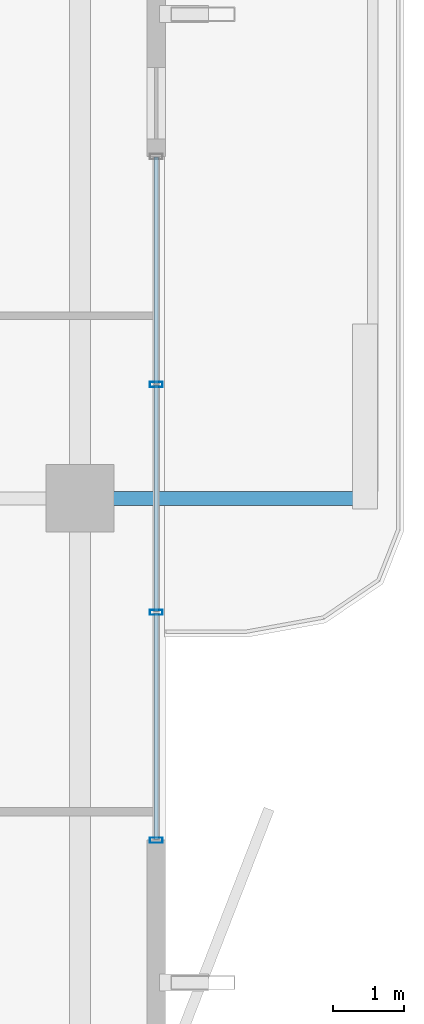
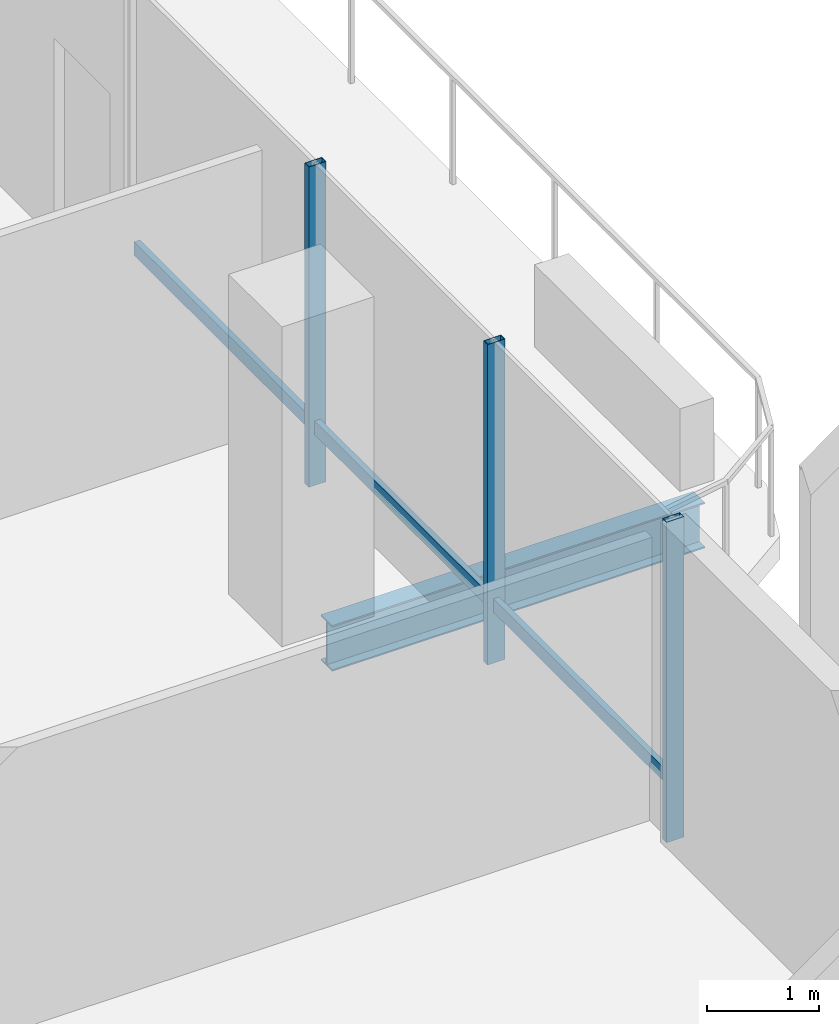
# One storey, part 10 of 25: 6 members, 1 beam, 1 element without a shape of its own.
"""IFC4 building model written with IfcOpenShell, lengths in metres."""

import ifcopenshell
import ifcopenshell.guid

model = None  # the IFC model being written
_history = None  # IfcOwnerHistory: only IFC2X3 demands one
_inside = {}  # id of a spatial element -> (the spatial element, [elements in it])
_under = {}  # id of a project, library or spatial element -> (it, [spatial elements below it])
_declared = {}  # id of a project -> (the project, [libraries it declares])
_typed = {}  # id of a type object -> (the type object, [elements of that type])
_made_of = {}  # id of a material, layer set ... -> (it, [elements and type objects made of it])


def new_model(schema):
    """Start an empty IFC model of exactly this schema.

    Asked for "IFC4X3", IfcOpenShell would pick the latest addendum, in which some entities
    have other attributes; the version numbers below select the first issue.
    IFC2X3 requires an IfcOwnerHistory on every rooted entity: one is made here for all.
    """
    global model, _history
    if schema == "IFC4X3":
        model = ifcopenshell.file(schema_version=(4, 3, 0, 0))
    else:
        model = ifcopenshell.file(schema=schema)
    _inside.clear()
    _under.clear()
    _declared.clear()
    _typed.clear()
    _made_of.clear()
    _history = None
    if model.schema == "IFC2X3":
        org = make("IfcOrganization", Name="unknown")
        user = make(
            "IfcPersonAndOrganization",
            ThePerson=make("IfcPerson", FamilyName="unknown"),
            TheOrganization=org,
        )
        app = make(
            "IfcApplication",
            ApplicationDeveloper=org,
            Version="unknown",
            ApplicationFullName="unknown",
            ApplicationIdentifier="unknown",
        )
        _history = make(
            "IfcOwnerHistory",
            OwningUser=user,
            OwningApplication=app,
            ChangeAction="ADDED",
            CreationDate=0,
        )
    return model


def make(cls, **values):
    """One entity of the class cls with the attributes given. An attribute that is None is left unset."""
    return model.create_entity(
        cls, **{name: value for name, value in values.items() if value is not None}
    )


def rooted(cls, **values):
    """An entity with a GlobalId (a new one), such as an element, a storey or a relation."""
    return make(cls, GlobalId=ifcopenshell.guid.new(), OwnerHistory=_history, **values)


def si_unit(unit_type, name, prefix=None):
    """IfcSIUnit, for example si_unit("LENGTHUNIT", "METRE", prefix="MILLI")."""
    return make("IfcSIUnit", UnitType=unit_type, Prefix=prefix, Name=name)


def assignment(units):
    """IfcUnitAssignment: the units of a project."""
    return None if units is None else make("IfcUnitAssignment", Units=units)


def point(xyz):
    """IfcCartesianPoint."""
    return None if xyz is None else make("IfcCartesianPoint", Coordinates=xyz)


def direction(xyz):
    """IfcDirection."""
    return None if xyz is None else make("IfcDirection", DirectionRatios=xyz)


def frame(location, z_axis=None, x_axis=None):
    """IfcAxis2Placement3D, a coordinate frame: its origin and axes. An axis left out is left unset."""
    return make(
        "IfcAxis2Placement3D",
        Location=point(location),
        Axis=direction(z_axis),
        RefDirection=direction(x_axis),
    )


def frame_2d(location, x_axis=None):
    """IfcAxis2Placement2D, a coordinate frame in the plane: its origin and x axis."""
    return make(
        "IfcAxis2Placement2D", Location=point(location), RefDirection=direction(x_axis)
    )


def origin():
    """The frame at (0, 0, 0) with its axes left unset."""
    return frame((0.0, 0.0, 0.0))


def origin_2d():
    """The frame at (0, 0) in the plane with its x axis left unset."""
    return frame_2d((0.0, 0.0))


def place(relative_to, where):
    """IfcLocalPlacement: puts the frame where relative to a parent placement (None: the world)."""
    return make(
        "IfcLocalPlacement", PlacementRelTo=relative_to, RelativePlacement=where
    )


def context(
    kind, dimensions, precision=None, world=None, true_north=None, identifier=None
):
    """IfcGeometricRepresentationContext, for example the 3D "Model" context."""
    return make(
        "IfcGeometricRepresentationContext",
        ContextIdentifier=identifier,
        ContextType=kind,
        CoordinateSpaceDimension=dimensions,
        Precision=precision,
        WorldCoordinateSystem=world,
        TrueNorth=true_north,
    )


def subcontext(parent, identifier, kind, view, scale=None):
    """IfcGeometricRepresentationSubContext, for example "Body" below "Model"."""
    return make(
        "IfcGeometricRepresentationSubContext",
        ContextIdentifier=identifier,
        ContextType=kind,
        ParentContext=parent,
        TargetScale=scale,
        TargetView=view,
    )


def project(units=None, contexts=None):
    """IfcProject with its units and contexts."""
    return rooted(
        "IfcProject",
        Name="project",
        RepresentationContexts=contexts,
        UnitsInContext=assignment(units),
    )


def spatial(cls, under=None, at=None, **own):
    """A site, building, storey or space (cls), placed at a placement, below another one or the project."""
    s = rooted(cls, ObjectPlacement=at, **own)
    if under is not None:
        _under.setdefault(under.id(), (under, []))[1].append(s)
    return s


def profile(cls, at=None, kind="AREA", **sizes):
    """A parametric profile (cls). Its sizes go by their IFC names, for example OverallWidth=200.0."""
    return make(cls, ProfileType=kind, Position=at, **sizes)


def hollow_rectangle(**sizes):
    """IfcRectangleHollowProfileDef."""
    return profile("IfcRectangleHollowProfileDef", **sizes)


def i_section(**sizes):
    """IfcIShapeProfileDef."""
    return profile("IfcIShapeProfileDef", **sizes)


def extrude(swept, where, along, depth):
    """IfcExtrudedAreaSolid: the profile swept, set in the frame where, extruded along a direction by depth."""
    return make(
        "IfcExtrudedAreaSolid",
        SweptArea=swept,
        Position=where,
        ExtrudedDirection=direction(along),
        Depth=depth,
    )


def shape(context_of_items, identifier, shape_type, items):
    """IfcShapeRepresentation: the items that make up one representation, for example the "Body"."""
    return make(
        "IfcShapeRepresentation",
        ContextOfItems=context_of_items,
        RepresentationIdentifier=identifier,
        RepresentationType=shape_type,
        Items=items,
    )


def material(Name=None, Category=None):
    """IfcMaterial."""
    return make("IfcMaterial", Name=Name, Category=Category)


def layer(
    of_material, thickness, ventilated=None, Name=None, Category=None, Priority=None
):
    """IfcMaterialLayer: one layer of a wall or slab, of a material (None: an air gap)."""
    return make(
        "IfcMaterialLayer",
        Material=of_material,
        LayerThickness=thickness,
        IsVentilated=ventilated,
        Name=Name,
        Category=Category,
        Priority=Priority,
    )


def layer_set(layers, Name=None):
    """IfcMaterialLayerSet."""
    return make("IfcMaterialLayerSet", MaterialLayers=layers, LayerSetName=Name)


def material_profile(
    of_material, cross_section, Name=None, Category=None, Priority=None
):
    """IfcMaterialProfile: a cross section and its material."""
    return make(
        "IfcMaterialProfile",
        Name=Name,
        Material=of_material,
        Profile=cross_section,
        Priority=Priority,
        Category=Category,
    )


def profile_set(profiles, Name=None, composite=None):
    """IfcMaterialProfileSet."""
    return make(
        "IfcMaterialProfileSet",
        Name=Name,
        MaterialProfiles=profiles,
        CompositeProfile=composite,
    )


def made_of(thing, what):
    """Note that an element or type object is made of a material, layer set ...; save() writes the relation."""
    if what is not None:
        _made_of.setdefault(what.id(), (what, []))[1].append(thing)
    return thing


def type_object(cls, material=None, **own):
    """A type object (cls), such as IfcWallType, which elements share."""
    return made_of(rooted(cls, **own), material)


def element(
    cls,
    number,
    at=None,
    inside=None,
    cuts=None,
    type_object=None,
    material=None,
    context=None,
    identifier="Body",
    shape_type=None,
    held_by="IfcProductDefinitionShape",
    body=None,
    shapes=None,
    **own,
):
    """One element of the class cls, such as IfcWall. Its Tag is "e" and its number.

    at: its placement. inside: the storey or other place that contains it. cuts: it is an
    opening in that element (IfcRelVoidsElement). A single representation is given by context,
    identifier, shape_type and body (its items); several are given by shapes. held_by: the class
    of the entity that holds the representations. save() writes the other relations.
    """
    e = rooted(cls, Tag="e%d" % number, ObjectPlacement=at, **own)
    if body is not None:
        shapes = [shape(context, identifier, shape_type, body)]
    if shapes is not None:
        e.Representation = make(held_by, Representations=shapes)
    if inside is not None:
        _inside.setdefault(inside.id(), (inside, []))[1].append(e)
    if cuts is not None:
        rooted(
            "IfcRelVoidsElement", RelatingBuildingElement=cuts, RelatedOpeningElement=e
        )
    if type_object is not None:
        _typed.setdefault(type_object.id(), (type_object, []))[1].append(e)
    return made_of(e, material)


def aggregate(whole, parts):
    """IfcRelAggregates: a whole, such as a stair, and the parts it consists of."""
    return rooted("IfcRelAggregates", RelatingObject=whole, RelatedObjects=parts)


def save(model, path):
    """Write the relations noted so far, then the file.

    IfcRelAggregates (storeys below a building ...), IfcRelContainedInSpatialStructure (elements
    in a storey), IfcRelDefinesByType, IfcRelAssociatesMaterial and IfcRelDeclares: one each for
    every whole, place, type object, material and project.
    """
    for whole, parts in _under.values():
        aggregate(whole, parts)
    for where, things in _inside.values():
        rooted(
            "IfcRelContainedInSpatialStructure",
            RelatedElements=things,
            RelatingStructure=where,
        )
    for kind, things in _typed.values():
        rooted("IfcRelDefinesByType", RelatedObjects=things, RelatingType=kind)
    for what, things in _made_of.values():
        rooted("IfcRelAssociatesMaterial", RelatedObjects=things, RelatingMaterial=what)
    for by, libraries in _declared.values():
        rooted("IfcRelDeclares", RelatingContext=by, RelatedDefinitions=libraries)
    model.write(path)


model = new_model("IFC4")

# Units and contexts
model_context = context("Model", 3, precision=1e-05, world=origin(), true_north=direction((0.0, 1.0)))
body_context = subcontext(model_context, "Body", "Model", "MODEL_VIEW")
ifc_project = project(units=[si_unit("LENGTHUNIT", "METRE"), si_unit("AREAUNIT", "SQUARE_METRE"), si_unit("VOLUMEUNIT", "CUBIC_METRE"), si_unit("PLANEANGLEUNIT", "RADIAN"), si_unit("MASSUNIT", "GRAM", prefix="KILO")], contexts=[model_context])

# Site, building, storey
site_placement = place(None, origin())
site = spatial("IfcSite", under=ifc_project, at=site_placement, CompositionType="ELEMENT")
building_placement = place(site_placement, origin())
building = spatial("IfcBuilding", under=site, at=building_placement, Name="Belovzor Exchange Tower", CompositionType="ELEMENT")
storey_placement = place(building_placement, frame((0.0, 0.0, 272.85009765625)))
storey = spatial("IfcBuildingStorey", under=building, at=storey_placement, Name="L68", CompositionType="ELEMENT", Elevation=272.85009765625)

# Beam
ifc_material_1 = material(Name="Steel S355", Category="steel")
ifc_material_profile_1 = material_profile(ifc_material_1, i_section(OverallWidth=0.199951171875, OverallDepth=0.5, WebThickness=0.01025390625, FlangeThickness=0.01611328125, at=origin_2d()))
ifc_profile_set_1 = profile_set([ifc_material_profile_1], Name="Steel S355")
beam_type = type_object("IfcBeamType", Name="Planted Balcony Cantilever Beam IPE 500", PredefinedType="BEAM", material=ifc_profile_set_1)
beam_placement = place(storey_placement, frame((52.760986328125, 28.800048828125, -0.5), z_axis=(1.0, 0.0, 0.0), x_axis=(0.0, 1.0, 0.0)))
element("IfcBeam", 1, at=beam_placement, inside=storey, type_object=beam_type, Name="BC-500 Planted Balcony Cantilever Beam IPE 500", PredefinedType="BEAM", context=body_context, shape_type="SweptSolid", body=[
    extrude(i_section(OverallWidth=0.199951171875, OverallDepth=0.5, WebThickness=0.01025390625, FlangeThickness=0.01611328125, at=origin_2d()), origin(), (0.0, 0.0, 1.0), 3.85009765625),
])

# Curtain wall, members
ifc_material_2 = material(Name="Anodised Aluminium Framing", Category="aluminium")
ifc_layer = layer(ifc_material_2, 0.179931640625)
ifc_layer_set = layer_set([ifc_layer], Name="Anodised Aluminium Framing")
curtain_wall_type = type_object("IfcCurtainWallType", Name="Recessed Loggia Low-Iron Triple-Glazed Curtain Wall", PredefinedType="NOTDEFINED", material=ifc_layer_set)
curtain_wall_placement = place(storey_placement, origin())
curtain_wall = element("IfcCurtainWall", 2, at=curtain_wall_placement, inside=storey, type_object=curtain_wall_type, Name="CW3 Recessed Loggia Low-Iron Triple-Glazed Curtain Wall L68", PredefinedType="NOTDEFINED")
ifc_material_3 = material(Name="Steel S355", Category="steel")
ifc_material_profile_2 = material_profile(ifc_material_3, hollow_rectangle(XDim=0.074951171875, YDim=0.179931640625, WallThickness=0.0048828125, at=origin_2d()))
ifc_profile_set_2 = profile_set([ifc_material_profile_2], Name="Steel S355")
member_type_1 = type_object("IfcMemberType", Name="Thermally Broken Curtain Wall Mullion 180x75", PredefinedType="MULLION", material=ifc_profile_set_2)
member_1_placement = place(storey_placement, frame((53.570068359375, 30.39990234375, 0.0), z_axis=(0.0, 0.0, 1.0), x_axis=(0.0, -1.0, 0.0)))
member_1 = element("IfcMember", 3, at=member_1_placement, type_object=member_type_1, Name="CW-M180 Curtain Wall Mullion 2", PredefinedType="MULLION", context=body_context, shape_type="SweptSolid", body=[
    extrude(hollow_rectangle(XDim=0.074951171875, YDim=0.179931640625, WallThickness=0.0048828125, at=origin_2d()), origin(), (0.0, 0.0, 1.0), 3.5),
])
member_2_placement = place(storey_placement, frame((53.570068359375, 27.199951171875, 0.0), z_axis=(0.0, 0.0, 1.0), x_axis=(0.0, -1.0, 0.0)))
member_2 = element("IfcMember", 4, at=member_2_placement, type_object=member_type_1, Name="CW-M180 Curtain Wall Mullion 3", PredefinedType="MULLION", context=body_context, shape_type="SweptSolid", body=[
    extrude(hollow_rectangle(XDim=0.074951171875, YDim=0.179931640625, WallThickness=0.0048828125, at=origin_2d()), origin(), (0.0, 0.0, 1.0), 3.5),
])
member_3_placement = place(storey_placement, frame((53.570068359375, 24.0, 0.0), z_axis=(0.0, 0.0, 1.0), x_axis=(0.0, -1.0, 0.0)))
member_3 = element("IfcMember", 5, at=member_3_placement, type_object=member_type_1, Name="CW-M180 Curtain Wall Mullion 4", PredefinedType="MULLION", context=body_context, shape_type="SweptSolid", body=[
    extrude(hollow_rectangle(XDim=0.074951171875, YDim=0.179931640625, WallThickness=0.0048828125, at=origin_2d()), origin(), (0.0, 0.0, 1.0), 3.5),
])
ifc_material_4 = material(Name="Steel S355", Category="steel")
ifc_material_profile_3 = material_profile(ifc_material_4, hollow_rectangle(XDim=0.06005859375, YDim=0.14990234375, WallThickness=0.00390625, at=origin_2d()))
ifc_profile_set_3 = profile_set([ifc_material_profile_3], Name="Steel S355")
member_type_2 = type_object("IfcMemberType", Name="Thermally Broken Curtain Wall Transom 150x60", PredefinedType="USERDEFINED", material=ifc_profile_set_3)
member_4_placement = place(storey_placement, frame((53.570068359375, 33.592041015625, 0.6298828125), z_axis=(0.0, -1.0, 0.0), x_axis=(1.0, 0.0, 0.0)))
member_4 = element("IfcMember", 6, at=member_4_placement, type_object=member_type_2, Name="CW-T150 Curtain Wall Transom 1", ObjectType="TRANSOM", PredefinedType="USERDEFINED", context=body_context, shape_type="SweptSolid", body=[
    extrude(hollow_rectangle(XDim=0.06005859375, YDim=0.14990234375, WallThickness=0.00390625, at=origin_2d()), origin(), (0.0, 0.0, 1.0), 3.18408203125),
])
member_5_placement = place(storey_placement, frame((53.570068359375, 30.39208984375, 0.6298828125), z_axis=(0.0, -1.0, 0.0), x_axis=(1.0, 0.0, 0.0)))
member_5 = element("IfcMember", 7, at=member_5_placement, type_object=member_type_2, Name="CW-T150 Curtain Wall Transom 2", ObjectType="TRANSOM", PredefinedType="USERDEFINED", context=body_context, shape_type="SweptSolid", body=[
    extrude(hollow_rectangle(XDim=0.06005859375, YDim=0.14990234375, WallThickness=0.00390625, at=origin_2d()), origin(), (0.0, 0.0, 1.0), 3.18408203125),
])
member_6_placement = place(storey_placement, frame((53.570068359375, 27.19189453125, 0.6298828125), z_axis=(0.0, -1.0, 0.0), x_axis=(1.0, 0.0, 0.0)))
member_6 = element("IfcMember", 8, at=member_6_placement, type_object=member_type_2, Name="CW-T150 Curtain Wall Transom 3", ObjectType="TRANSOM", PredefinedType="USERDEFINED", context=body_context, shape_type="SweptSolid", body=[
    extrude(hollow_rectangle(XDim=0.06005859375, YDim=0.14990234375, WallThickness=0.00390625, at=origin_2d()), origin(), (0.0, 0.0, 1.0), 3.183837890625),
])
aggregate(curtain_wall, [member_1, member_2, member_3, member_4, member_5, member_6])

save(model, "model.ifc")
